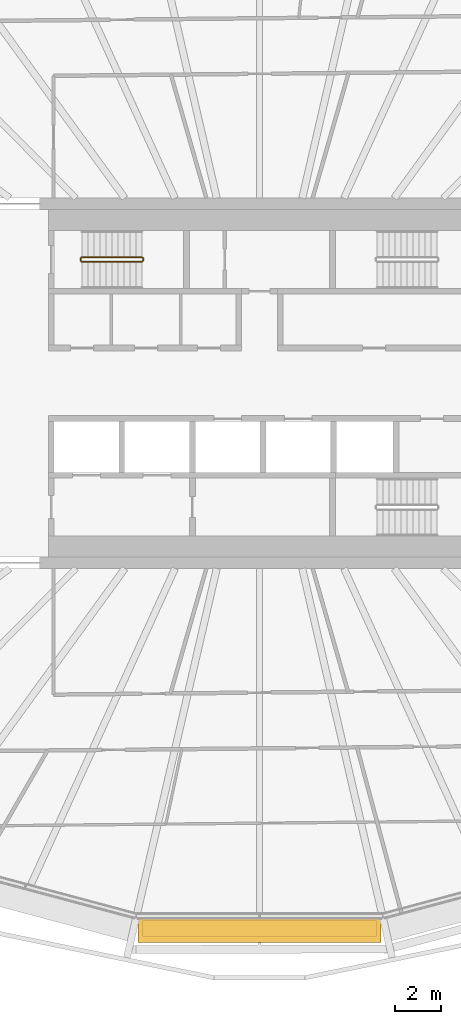
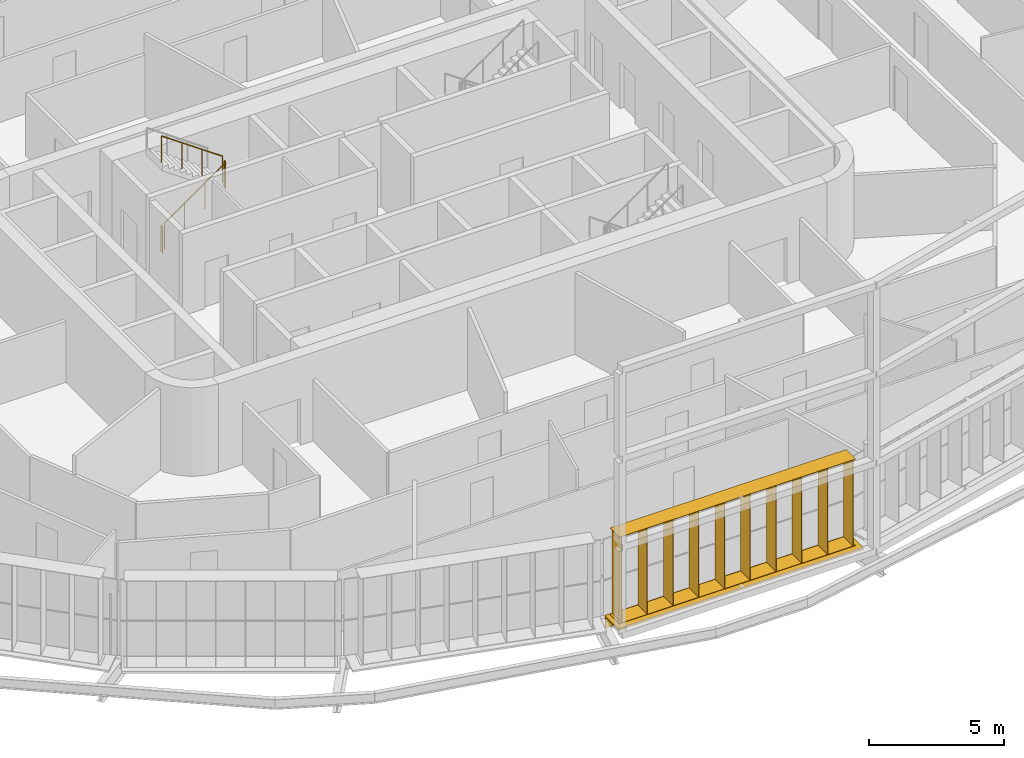
# One storey, part 19 of 23: 4 railings, 2 shading devices.
"""IFC4 building model written with IfcOpenShell, lengths in metres."""

from ifc_helpers import new_model, si_unit, direction, frame, origin, origin_2d, place, context, subcontext, project, spatial, rectangle, circle, extrude, material, type_object, element, save


model = new_model("IFC4")

# Units and contexts
model_context = context("Model", 3, precision=1e-05, world=origin(), true_north=direction((0.0, 1.0)))
body_context = subcontext(model_context, "Body", "Model", "MODEL_VIEW")
ifc_project = project(units=[si_unit("LENGTHUNIT", "METRE"), si_unit("AREAUNIT", "SQUARE_METRE"), si_unit("VOLUMEUNIT", "CUBIC_METRE"), si_unit("PLANEANGLEUNIT", "RADIAN"), si_unit("MASSUNIT", "GRAM", prefix="KILO")], contexts=[model_context])

# Site, building, storey
site_placement = place(None, origin())
site = spatial("IfcSite", under=ifc_project, at=site_placement, CompositionType="ELEMENT")
building_placement = place(site_placement, origin())
building = spatial("IfcBuilding", under=site, at=building_placement, Name="Sahrelin Media Tower", CompositionType="ELEMENT")
storey_placement = place(building_placement, frame((0.0, 0.0, 185.60009765625)))
storey = spatial("IfcBuildingStorey", under=building, at=storey_placement, Name="L39", CompositionType="ELEMENT", Elevation=185.60009765625)

# Shading device
ifc_material_1 = material(Name="Champagne anodised aluminium 6063-T6", Category="aluminium")
shading_device_type_1 = type_object("IfcShadingDeviceType", Name="Fin cassette", PredefinedType="USERDEFINED", material=ifc_material_1)
placement = place(storey_placement, frame((0.0, -23.12890625, 0.0), z_axis=(0.0, 0.0, 1.0), x_axis=(-1.0, 0.0, 0.0)))
element("IfcShadingDevice", 1, at=placement, inside=storey, type_object=shading_device_type_1, Name="L39:FIN:L39-18", ObjectType="FIN", PredefinedType="USERDEFINED", context=body_context, shape_type="SweptSolid", body=[
    extrude(rectangle(XDim=10.10009765625, YDim=0.699951171875, at=origin_2d()), frame((0.0, 0.419921875, 0.0)), (0.0, 0.0, 1.0), 0.02001953125),
    extrude(rectangle(XDim=10.10009765625, YDim=0.699951171875, at=origin_2d()), frame((0.0, 0.419921875, 3.89990234375)), (0.0, 0.0, 1.0), 0.02001953125),
    extrude(rectangle(XDim=0.02001953125, YDim=0.699951171875, at=origin_2d()), frame((-4.949951171875, 0.419921875, 0.010009765625), z_axis=(0.0, 0.0, 1.0), x_axis=(1.0, 0.0, 0.0)), (0.0, 0.0, 1.0), 3.89990234375),
    extrude(rectangle(XDim=0.02001953125, YDim=0.699951171875, at=origin_2d()), frame((-3.85009765625, 0.419921875, 0.010009765625), z_axis=(0.0, 0.0, 1.0), x_axis=(1.0, 0.0, 0.0)), (0.0, 0.0, 1.0), 3.89990234375),
    extrude(rectangle(XDim=0.02001953125, YDim=0.699951171875, at=origin_2d()), frame((-2.75, 0.419921875, 0.010009765625), z_axis=(0.0, 0.0, 1.0), x_axis=(1.0, 0.0, 0.0)), (0.0, 0.0, 1.0), 3.89990234375),
    extrude(rectangle(XDim=0.02001953125, YDim=0.699951171875, at=origin_2d()), frame((-1.64990234375, 0.419921875, 0.010009765625), z_axis=(0.0, 0.0, 1.0), x_axis=(1.0, 0.0, 0.0)), (0.0, 0.0, 1.0), 3.89990234375),
    extrude(rectangle(XDim=0.02001953125, YDim=0.699951171875, at=origin_2d()), frame((-0.550048828125, 0.419921875, 0.010009765625), z_axis=(0.0, 0.0, 1.0), x_axis=(1.0, 0.0, 0.0)), (0.0, 0.0, 1.0), 3.89990234375),
    extrude(rectangle(XDim=0.02001953125, YDim=0.699951171875, at=origin_2d()), frame((0.550048828125, 0.419921875, 0.010009765625), z_axis=(0.0, 0.0, 1.0), x_axis=(1.0, 0.0, 0.0)), (0.0, 0.0, 1.0), 3.89990234375),
    extrude(rectangle(XDim=0.02001953125, YDim=0.699951171875, at=origin_2d()), frame((1.64990234375, 0.419921875, 0.010009765625), z_axis=(0.0, 0.0, 1.0), x_axis=(1.0, 0.0, 0.0)), (0.0, 0.0, 1.0), 3.89990234375),
    extrude(rectangle(XDim=0.02001953125, YDim=0.699951171875, at=origin_2d()), frame((2.75, 0.419921875, 0.010009765625), z_axis=(0.0, 0.0, 1.0), x_axis=(1.0, 0.0, 0.0)), (0.0, 0.0, 1.0), 3.89990234375),
    extrude(rectangle(XDim=0.02001953125, YDim=0.699951171875, at=origin_2d()), frame((3.85009765625, 0.419921875, 0.010009765625), z_axis=(0.0, 0.0, 1.0), x_axis=(1.0, 0.0, 0.0)), (0.0, 0.0, 1.0), 3.89990234375),
    extrude(rectangle(XDim=0.02001953125, YDim=0.699951171875, at=origin_2d()), frame((4.949951171875, 0.419921875, 0.010009765625), z_axis=(0.0, 0.0, 1.0), x_axis=(1.0, 0.0, 0.0)), (0.0, 0.0, 1.0), 3.89990234375),
])

# Railings
ifc_material_2 = material(Name="Steel S355", Category="steel")
railing_type = type_object("IfcRailingType", Name="Stair guard 1200", PredefinedType="GUARDRAIL", material=ifc_material_2)
railing_1_placement = place(storey_placement, frame((-7.675048828125, 5.25, 0.181640625)))
element("IfcRailing", 2, at=railing_1_placement, inside=storey, type_object=railing_type, Name="L39 ST1 stair guard 1", PredefinedType="GUARDRAIL", context=body_context, shape_type="SweptSolid", body=[
    extrude(circle(Radius=0.02392578125, at=origin_2d()), frame((0.0, 0.0, 1.17578125), z_axis=(0.819484887739, 0.0, 0.573100792852), x_axis=(0.0, 1.0, 0.0)), (0.0, 0.0, 1.0), 3.1728515625),
    extrude(circle(Radius=0.02099609375, at=origin_2d()), origin(), (0.0, 0.0, 1.0), 1.15185546875),
    extrude(circle(Radius=0.02099609375, at=origin_2d()), frame((0.86669921875, 0.0, 0.606201171875)), (0.0, 0.0, 1.0), 1.15185546875),
    extrude(circle(Radius=0.02099609375, at=origin_2d()), frame((1.7333984375, 0.0, 1.212158203125)), (0.0, 0.0, 1.0), 1.15185546875),
    extrude(circle(Radius=0.02099609375, at=origin_2d()), frame((2.60009765625, 0.0, 1.818359375)), (0.0, 0.0, 1.0), 1.15185546875),
])
railing_2_placement = place(storey_placement, frame((-5.02490234375, 5.300048828125, 2.0)))
element("IfcRailing", 3, at=railing_2_placement, inside=storey, type_object=railing_type, Name="L39 ST1 stair guard 2", PredefinedType="GUARDRAIL", context=body_context, shape_type="SweptSolid", body=[
    extrude(circle(Radius=0.02392578125, at=origin_2d()), frame((0.0, 0.0, 1.17578125), z_axis=(0.0, 1.0, 0.0), x_axis=(-1.0, 0.0, 0.0)), (0.0, 0.0, 1.0), 0.099853515625),
    extrude(circle(Radius=0.02099609375, at=origin_2d()), origin(), (0.0, 0.0, 1.0), 1.15185546875),
    extrude(circle(Radius=0.02099609375, at=origin_2d()), frame((0.0, 0.099853515625, 0.0)), (0.0, 0.0, 1.0), 1.15185546875),
])
railing_3_placement = place(storey_placement, frame((-5.074951171875, 5.449951171875, 2.181640625)))
element("IfcRailing", 4, at=railing_3_placement, inside=storey, type_object=railing_type, Name="L39 ST1 stair guard 3", PredefinedType="GUARDRAIL", context=body_context, shape_type="SweptSolid", body=[
    extrude(circle(Radius=0.02392578125, at=origin_2d()), frame((0.0, 0.0, 1.17578125), z_axis=(-0.819484887739, 0.0, 0.573100792852), x_axis=(0.0, -1.0, 0.0)), (0.0, 0.0, 1.0), 3.1728515625),
    extrude(circle(Radius=0.02099609375, at=origin_2d()), origin(), (0.0, 0.0, 1.0), 1.15185546875),
    extrude(circle(Radius=0.02099609375, at=origin_2d()), frame((-0.86669921875, 0.0, 0.606201171875)), (0.0, 0.0, 1.0), 1.15185546875),
    extrude(circle(Radius=0.02099609375, at=origin_2d()), frame((-1.7333984375, 0.0, 1.212158203125)), (0.0, 0.0, 1.0), 1.15185546875),
    extrude(circle(Radius=0.02099609375, at=origin_2d()), frame((-2.60009765625, 0.0, 1.818359375)), (0.0, 0.0, 1.0), 1.15185546875),
])
railing_4_placement = place(storey_placement, frame((-7.72509765625, 5.300048828125, 0.0)))
element("IfcRailing", 5, at=railing_4_placement, inside=storey, type_object=railing_type, Name="L39 ST1 stair guard 4", PredefinedType="GUARDRAIL", context=body_context, shape_type="SweptSolid", body=[
    extrude(circle(Radius=0.02392578125, at=origin_2d()), frame((0.0, 0.0, 1.17578125), z_axis=(0.0, 1.0, 0.0), x_axis=(-1.0, 0.0, 0.0)), (0.0, 0.0, 1.0), 0.099853515625),
    extrude(circle(Radius=0.02099609375, at=origin_2d()), origin(), (0.0, 0.0, 1.0), 1.15185546875),
    extrude(circle(Radius=0.02099609375, at=origin_2d()), frame((0.0, 0.099853515625, 0.0)), (0.0, 0.0, 1.0), 1.15185546875),
])

# Shading device
shading_device_type_2 = type_object("IfcShadingDeviceType", Name="Sunshade band", PredefinedType="USERDEFINED", material=ifc_material_1)
element("IfcShadingDevice", 6, at=placement, inside=storey, type_object=shading_device_type_2, Name="L39:SUN:L39-18", ObjectType="SUNSHADE", PredefinedType="USERDEFINED", context=body_context, shape_type="SweptSolid", body=[
    extrude(rectangle(XDim=10.479248046875, YDim=0.050048828125, at=origin_2d()), frame((0.0, 0.044921875, -0.55126953125)), (0.0, 0.0, 1.0), 0.471435546875),
    extrude(rectangle(XDim=10.479248046875, YDim=1.0, at=origin_2d()), frame((0.0, 0.52001953125, -0.080078125)), (0.0, 0.0, 1.0), 0.080078125),
    extrude(rectangle(XDim=0.10009765625, YDim=0.074951171875, at=origin_2d()), frame((-5.1396484375, -0.017578125, -0.47021484375)), (0.0, 0.0, 1.0), 0.300048828125),
    extrude(rectangle(XDim=0.10009765625, YDim=0.074951171875, at=origin_2d()), frame((-3.426513671875, -0.017578125, -0.47021484375)), (0.0, 0.0, 1.0), 0.300048828125),
    extrude(rectangle(XDim=0.10009765625, YDim=0.074951171875, at=origin_2d()), frame((-1.713134765625, -0.017578125, -0.47021484375)), (0.0, 0.0, 1.0), 0.300048828125),
    extrude(rectangle(XDim=0.10009765625, YDim=0.074951171875, at=origin_2d()), frame((0.0, -0.017578125, -0.47021484375)), (0.0, 0.0, 1.0), 0.300048828125),
    extrude(rectangle(XDim=0.10009765625, YDim=0.074951171875, at=origin_2d()), frame((1.713134765625, -0.017578125, -0.47021484375)), (0.0, 0.0, 1.0), 0.300048828125),
    extrude(rectangle(XDim=0.10009765625, YDim=0.074951171875, at=origin_2d()), frame((3.426513671875, -0.017578125, -0.47021484375)), (0.0, 0.0, 1.0), 0.300048828125),
    extrude(rectangle(XDim=0.10009765625, YDim=0.074951171875, at=origin_2d()), frame((5.1396484375, -0.017578125, -0.47021484375)), (0.0, 0.0, 1.0), 0.300048828125),
])

save(model, "model.ifc")
